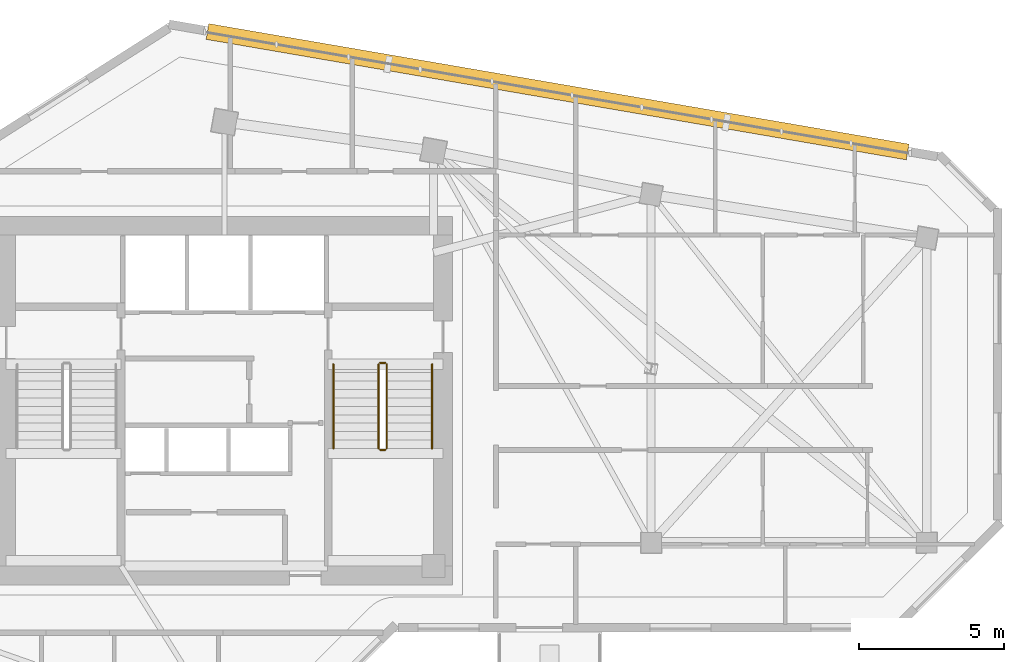
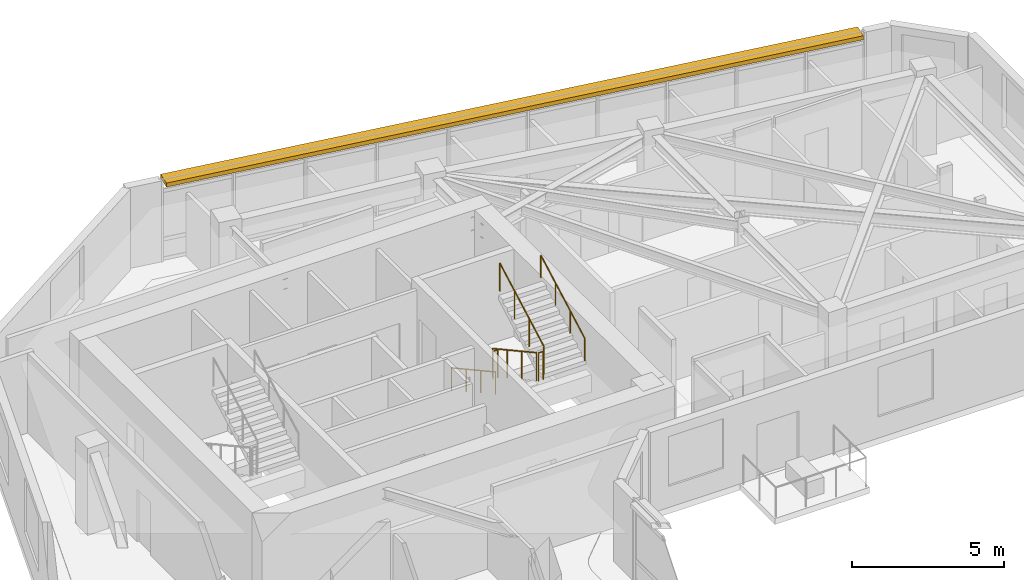
# One storey, part 11 of 11: 6 railings, 1 shading device.
"""IFC4 building model written with IfcOpenShell, lengths in metres."""

from ifc_helpers import new_model, si_unit, direction, frame, frame_2d, origin, origin_2d, place, context, subcontext, project, spatial, rectangle, circle, extrude, material, type_object, element, save


model = new_model("IFC4")

# Units and contexts
model_context = context("Model", 3, precision=1e-05, world=origin(), true_north=direction((0.0, 1.0)))
body_context = subcontext(model_context, "Body", "Model", "MODEL_VIEW")
ifc_project = project(units=[si_unit("LENGTHUNIT", "METRE"), si_unit("AREAUNIT", "SQUARE_METRE"), si_unit("VOLUMEUNIT", "CUBIC_METRE"), si_unit("PLANEANGLEUNIT", "RADIAN"), si_unit("MASSUNIT", "GRAM", prefix="KILO")], contexts=[model_context])

# Site, building, storey
site_placement = place(None, origin())
site = spatial("IfcSite", under=ifc_project, at=site_placement, CompositionType="ELEMENT")
building_placement = place(site_placement, origin())
building = spatial("IfcBuilding", under=site, at=building_placement, Name="Calvemar Wedge Station Tower", CompositionType="ELEMENT")
storey_placement = place(building_placement, frame((0.0, 0.0, 183.39990234375)))
storey = spatial("IfcBuildingStorey", under=building, at=storey_placement, Name="L45", CompositionType="ELEMENT", Elevation=183.39990234375)

# Railings
ifc_material_1 = material(Name="Stainless steel AISI 316L", Category="steel")
railing_type_1 = type_object("IfcRailingType", Name="RL-HANDRAIL-920", PredefinedType="HANDRAIL", material=ifc_material_1)
railing_1_placement = place(storey_placement, frame((27.550048828125, 41.14990234375, 0.1591796875)))
element("IfcRailing", 1, at=railing_1_placement, inside=storey, type_object=railing_type_1, Name="L45 ST-C2 stair handrail 1", PredefinedType="HANDRAIL", context=body_context, shape_type="SweptSolid", body=[
    extrude(circle(Radius=0.02392578125, at=origin_2d()), frame((0.0, 0.0, 0.89599609375), z_axis=(0.0, -0.876742130028, 0.480960744171), x_axis=(1.0, 0.0, 0.0)), (0.0, 0.0, 1.0), 3.3076171875),
    extrude(circle(Radius=0.02099609375, at=origin_2d()), origin(), (0.0, 0.0, 1.0), 0.871826171875),
    extrude(circle(Radius=0.02099609375, at=origin_2d()), frame((0.0, -0.966552734375, 0.5302734375)), (0.0, 0.0, 1.0), 0.871826171875),
    extrude(circle(Radius=0.02099609375, at=origin_2d()), frame((0.0, -1.933349609375, 1.060546875)), (0.0, 0.0, 1.0), 0.871826171875),
    extrude(circle(Radius=0.02099609375, at=origin_2d()), frame((0.0, -2.89990234375, 1.5908203125)), (0.0, 0.0, 1.0), 0.871826171875),
])
railing_2_placement = place(storey_placement, frame((30.949951171875, 38.25, 1.9091796875)))
element("IfcRailing", 2, at=railing_2_placement, inside=storey, type_object=railing_type_1, Name="L45 ST-C2 stair handrail 2", PredefinedType="HANDRAIL", context=body_context, shape_type="SweptSolid", body=[
    extrude(circle(Radius=0.02392578125, at=origin_2d()), frame((0.0, 0.0, 0.89599609375), z_axis=(0.0, 0.876742130028, 0.480960744171), x_axis=(-1.0, 0.0, 0.0)), (0.0, 0.0, 1.0), 3.3076171875),
    extrude(circle(Radius=0.02099609375, at=origin_2d()), origin(), (0.0, 0.0, 1.0), 0.871826171875),
    extrude(circle(Radius=0.02099609375, at=origin_2d()), frame((0.0, 0.966552734375, 0.5302734375)), (0.0, 0.0, 1.0), 0.871826171875),
    extrude(circle(Radius=0.02099609375, at=origin_2d()), frame((0.0, 1.933349609375, 1.060546875)), (0.0, 0.0, 1.0), 0.871826171875),
    extrude(circle(Radius=0.02099609375, at=origin_2d()), frame((0.0, 2.89990234375, 1.5908203125)), (0.0, 0.0, 1.0), 0.871826171875),
])
ifc_material_2 = material(Name="Painted steel guardrail ASTM A500 Grade C", Category="steel")
railing_type_2 = type_object("IfcRailingType", Name="RL-STAIR-GUARD-1150", PredefinedType="GUARDRAIL", material=ifc_material_2)
railing_3_placement = place(storey_placement, frame((29.110107421875, 41.14990234375, 0.1591796875)))
element("IfcRailing", 3, at=railing_3_placement, inside=storey, type_object=railing_type_2, Name="L45 ST-C2 stair guard 1", PredefinedType="GUARDRAIL", context=body_context, shape_type="SweptSolid", body=[
    extrude(circle(Radius=0.02392578125, at=origin_2d()), frame((0.0, 0.0, 1.1259765625), z_axis=(0.0, -0.876742130028, 0.480960744171), x_axis=(1.0, 0.0, 0.0)), (0.0, 0.0, 1.0), 3.3076171875),
    extrude(circle(Radius=0.02099609375, at=origin_2d()), origin(), (0.0, 0.0, 1.0), 1.101806640625),
    extrude(circle(Radius=0.02099609375, at=origin_2d()), frame((0.0, -0.966552734375, 0.5302734375)), (0.0, 0.0, 1.0), 1.101806640625),
    extrude(circle(Radius=0.02099609375, at=origin_2d()), frame((0.0, -1.933349609375, 1.060546875)), (0.0, 0.0, 1.0), 1.101806640625),
    extrude(circle(Radius=0.02099609375, at=origin_2d()), frame((0.0, -2.89990234375, 1.5908203125)), (0.0, 0.0, 1.0), 1.101806640625),
])
railing_4_placement = place(storey_placement, frame((29.159912109375, 38.199951171875, 1.75)))
element("IfcRailing", 4, at=railing_4_placement, inside=storey, type_object=railing_type_2, Name="L45 ST-C2 stair guard 2", PredefinedType="GUARDRAIL", context=body_context, shape_type="SweptSolid", body=[
    extrude(circle(Radius=0.02392578125, at=origin_2d()), frame((0.0, 0.0, 1.1259765625), z_axis=(1.0, 0.0, 0.0), x_axis=(0.0, 1.0, 0.0)), (0.0, 0.0, 1.0), 0.18017578125),
    extrude(circle(Radius=0.02099609375, at=origin_2d()), origin(), (0.0, 0.0, 1.0), 1.101806640625),
    extrude(circle(Radius=0.02099609375, at=origin_2d()), frame((0.18017578125, 0.0, 0.0)), (0.0, 0.0, 1.0), 1.101806640625),
])
railing_5_placement = place(storey_placement, frame((29.389892578125, 38.25, 1.9091796875)))
element("IfcRailing", 5, at=railing_5_placement, inside=storey, type_object=railing_type_2, Name="L45 ST-C2 stair guard 3", PredefinedType="GUARDRAIL", context=body_context, shape_type="SweptSolid", body=[
    extrude(circle(Radius=0.02392578125, at=origin_2d()), frame((0.0, 0.0, 1.1259765625), z_axis=(0.0, 0.876742130028, 0.480960744171), x_axis=(-1.0, 0.0, 0.0)), (0.0, 0.0, 1.0), 3.3076171875),
    extrude(circle(Radius=0.02099609375, at=origin_2d()), origin(), (0.0, 0.0, 1.0), 1.101806640625),
    extrude(circle(Radius=0.02099609375, at=origin_2d()), frame((0.0, 0.966552734375, 0.5302734375)), (0.0, 0.0, 1.0), 1.101806640625),
    extrude(circle(Radius=0.02099609375, at=origin_2d()), frame((0.0, 1.933349609375, 1.060546875)), (0.0, 0.0, 1.0), 1.101806640625),
    extrude(circle(Radius=0.02099609375, at=origin_2d()), frame((0.0, 2.89990234375, 1.5908203125)), (0.0, 0.0, 1.0), 1.101806640625),
])
railing_6_placement = place(storey_placement, frame((29.159912109375, 41.199951171875, 0.0)))
element("IfcRailing", 6, at=railing_6_placement, inside=storey, type_object=railing_type_2, Name="L45 ST-C2 stair guard 4", PredefinedType="GUARDRAIL", context=body_context, shape_type="SweptSolid", body=[
    extrude(circle(Radius=0.02392578125, at=origin_2d()), frame((0.0, 0.0, 1.1259765625), z_axis=(1.0, 0.0, 0.0), x_axis=(0.0, 1.0, 0.0)), (0.0, 0.0, 1.0), 0.18017578125),
    extrude(circle(Radius=0.02099609375, at=origin_2d()), origin(), (0.0, 0.0, 1.0), 1.101806640625),
    extrude(circle(Radius=0.02099609375, at=origin_2d()), frame((0.18017578125, 0.0, 0.0)), (0.0, 0.0, 1.0), 1.101806640625),
])

# Shading device
ifc_material_3 = material(Name="Precast concrete C45", Category="concrete")
shading_device_type = type_object("IfcShadingDeviceType", Name="SHD-EYEBROW-1", PredefinedType="SHUTTER", material=ifc_material_3)
shading_device_placement = place(storey_placement, frame((47.341552734375, 48.468017578125, 3.070068359375), z_axis=(0.0, 0.0, 1.0), x_axis=(-0.985523833076, 0.169536941225, 0.0)))
element("IfcShadingDevice", 7, at=shading_device_placement, inside=storey, type_object=shading_device_type, Name="Storey L45 Bronze GFRC Solar Eyebrow 10", PredefinedType="SHUTTER", context=body_context, shape_type="SweptSolid", body=[
    extrude(rectangle(XDim=24.485107421875, YDim=0.550048828125, at=frame_2d((12.24267578125, 0.0))), origin(), (0.0, 0.0, 1.0), 0.159912109375),
])

save(model, "model.ifc")
